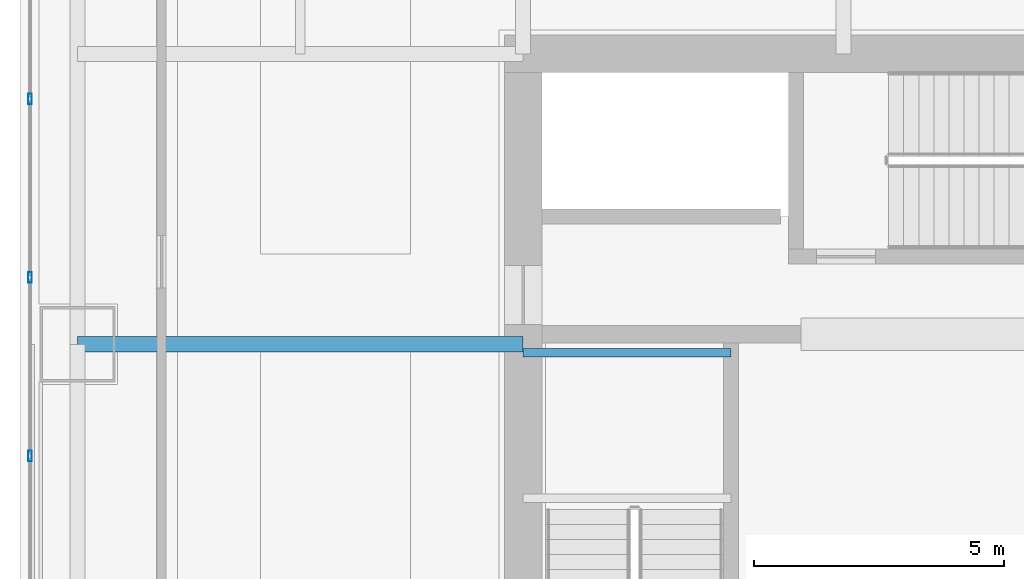
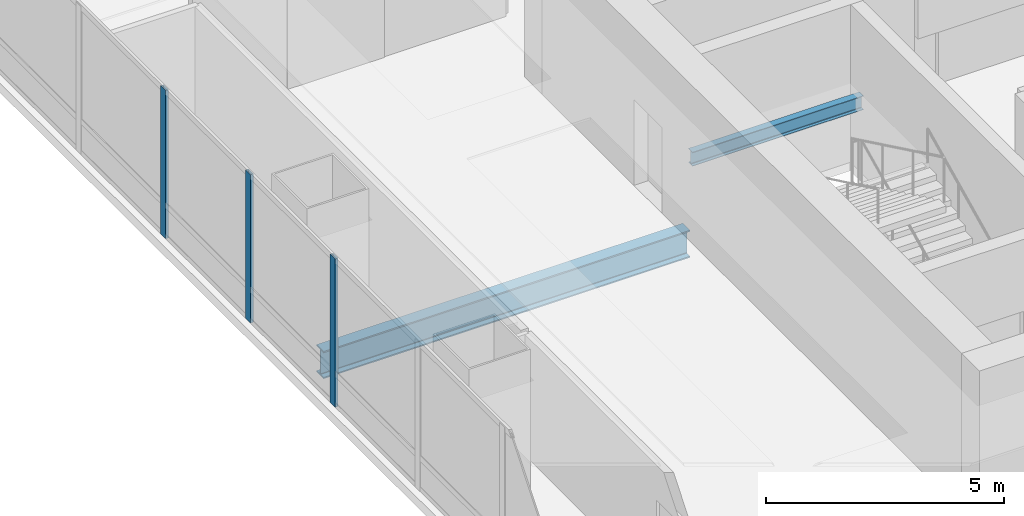
# One storey, part 10 of 35: 3 members, 2 beams, 1 element without a shape of its own.
"""IFC4 building model written with IfcOpenShell, lengths in metres."""

from ifc_helpers import new_model, si_unit, direction, frame, origin, origin_2d, place, context, subcontext, project, spatial, hollow_rectangle, i_section, extrude, material, material_profile, profile_set, type_object, element, aggregate, save


model = new_model("IFC4")

# Units and contexts
model_context = context("Model", 3, precision=1e-05, world=origin(), true_north=direction((0.0, 1.0)))
body_context = subcontext(model_context, "Body", "Model", "MODEL_VIEW")
ifc_project = project(units=[si_unit("LENGTHUNIT", "METRE"), si_unit("AREAUNIT", "SQUARE_METRE"), si_unit("VOLUMEUNIT", "CUBIC_METRE"), si_unit("PLANEANGLEUNIT", "RADIAN"), si_unit("MASSUNIT", "GRAM", prefix="KILO")], contexts=[model_context])

# Site, building, storey
site_placement = place(None, origin())
site = spatial("IfcSite", under=ifc_project, at=site_placement, CompositionType="ELEMENT")
building_placement = place(site_placement, origin())
building = spatial("IfcBuilding", under=site, at=building_placement, Name="Punatoya Terracotta Tower", CompositionType="ELEMENT")
storey_placement = place(building_placement, frame((0.0, 0.0, 68.699951171875)))
storey = spatial("IfcBuildingStorey", under=building, at=storey_placement, Name="L15", CompositionType="ELEMENT", Elevation=68.699951171875)

# Beams
ifc_material_1 = material(Name="Steel S355", Category="steel")
ifc_material_profile_1 = material_profile(ifc_material_1, i_section(OverallWidth=0.300048828125, OverallDepth=0.699951171875, WebThickness=0.01708984375, FlangeThickness=0.031982421875, FilletRadius=0.01806640625, at=origin_2d()))
ifc_profile_set_1 = profile_set([ifc_material_profile_1], Name="Steel S355")
beam_type_1 = type_object("IfcBeamType", Name="BM-PRI-700", PredefinedType="BEAM", material=ifc_profile_set_1)
beam_1_placement = place(storey_placement, frame((-19.10009765625, 3.39990234375, -0.58984375), z_axis=(1.0, 0.0, 0.0), x_axis=(0.0, 1.0, 0.0)))
element("IfcBeam", 1, at=beam_1_placement, inside=storey, type_object=beam_type_1, Name="BM-L15-PR-WE", PredefinedType="BEAM", context=body_context, shape_type="SweptSolid", body=[
    extrude(i_section(OverallWidth=0.300048828125, OverallDepth=0.699951171875, WebThickness=0.01708984375, FlangeThickness=0.031982421875, FilletRadius=0.01806640625, at=origin_2d()), origin(), (0.0, 0.0, 1.0), 8.900146484375),
])
ifc_material_profile_2 = material_profile(ifc_material_1, i_section(OverallWidth=0.169921875, OverallDepth=0.360107421875, WebThickness=0.008056640625, FlangeThickness=0.0126953125, FilletRadius=0.01806640625, at=origin_2d()))
ifc_profile_set_2 = profile_set([ifc_material_profile_2], Name="Steel S355")
beam_type_2 = type_object("IfcBeamType", Name="BM-SEC-360", PredefinedType="JOIST", material=ifc_profile_set_2)
beam_2_placement = place(storey_placement, frame((-10.199951171875, 3.22998046875, 1.64501953125), z_axis=(1.0, 0.0, 0.0), x_axis=(0.0, 1.0, 0.0)))
element("IfcBeam", 2, at=beam_2_placement, inside=storey, type_object=beam_type_2, Name="BM-L15-ST-1-LD1B", PredefinedType="JOIST", context=body_context, shape_type="SweptSolid", body=[
    extrude(i_section(OverallWidth=0.169921875, OverallDepth=0.360107421875, WebThickness=0.008056640625, FlangeThickness=0.0126953125, FilletRadius=0.01806640625, at=origin_2d()), origin(), (0.0, 0.0, 1.0), 4.14990234375),
])

# Curtain wall, members
ifc_material_2 = material(Name="Aluminium 6063-T6 + Double Low-E Glass", Category="aluminium")
curtain_wall_type = type_object("IfcCurtainWallType", Name="CW-M1", PredefinedType="NOTDEFINED", material=ifc_material_2)
curtain_wall_placement = place(storey_placement, origin())
curtain_wall = element("IfcCurtainWall", 3, at=curtain_wall_placement, inside=storey, type_object=curtain_wall_type, Name="L15 Curtain Wall CW-L15-W13-1", PredefinedType="NOTDEFINED")
ifc_material_3 = material(Name="Aluminium 6063-T6", Category="aluminium")
ifc_material_profile_3 = material_profile(ifc_material_3, hollow_rectangle(XDim=0.074951171875, YDim=0.2099609375, WallThickness=0.00439453125, at=origin_2d()))
ifc_profile_set_3 = profile_set([ifc_material_profile_3], Name="Aluminium 6063-T6")
member_type = type_object("IfcMemberType", Name="CW-MUL-M1", PredefinedType="MULLION", material=ifc_profile_set_3)
member_1_placement = place(storey_placement, frame((-20.050048828125, 8.302001953125, 0.0), z_axis=(0.0, 0.0, 1.0), x_axis=(1.0, 0.0, 0.0)))
member_1 = element("IfcMember", 4, at=member_1_placement, type_object=member_type, Name="CW-L15-W13-1 Mullion 02", PredefinedType="MULLION", context=body_context, shape_type="SweptSolid", body=[
    extrude(hollow_rectangle(XDim=0.074951171875, YDim=0.2099609375, WallThickness=0.00439453125, at=origin_2d()), origin(), (0.0, 0.0, 1.0), 3.81005859375),
])
member_2_placement = place(storey_placement, frame((-20.050048828125, 4.73486328125, 0.0), z_axis=(0.0, 0.0, 1.0), x_axis=(1.0, 0.0, 0.0)))
member_2 = element("IfcMember", 5, at=member_2_placement, type_object=member_type, Name="CW-L15-W13-1 Mullion 03", PredefinedType="MULLION", context=body_context, shape_type="SweptSolid", body=[
    extrude(hollow_rectangle(XDim=0.074951171875, YDim=0.2099609375, WallThickness=0.00439453125, at=origin_2d()), origin(), (0.0, 0.0, 1.0), 3.81005859375),
])
member_3_placement = place(storey_placement, frame((-20.050048828125, 1.16748046875, 0.0), z_axis=(0.0, 0.0, 1.0), x_axis=(1.0, 0.0, 0.0)))
member_3 = element("IfcMember", 6, at=member_3_placement, type_object=member_type, Name="CW-L15-W13-1 Mullion 04", PredefinedType="MULLION", context=body_context, shape_type="SweptSolid", body=[
    extrude(hollow_rectangle(XDim=0.074951171875, YDim=0.2099609375, WallThickness=0.00439453125, at=origin_2d()), origin(), (0.0, 0.0, 1.0), 3.81005859375),
])
aggregate(curtain_wall, [member_1, member_2, member_3])

save(model, "model.ifc")
